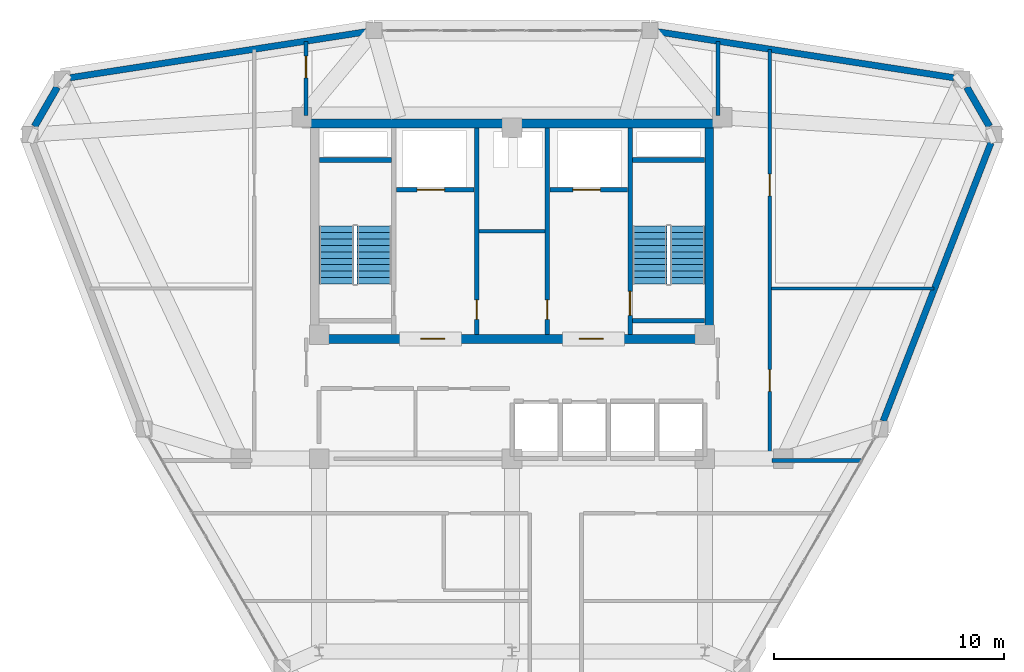
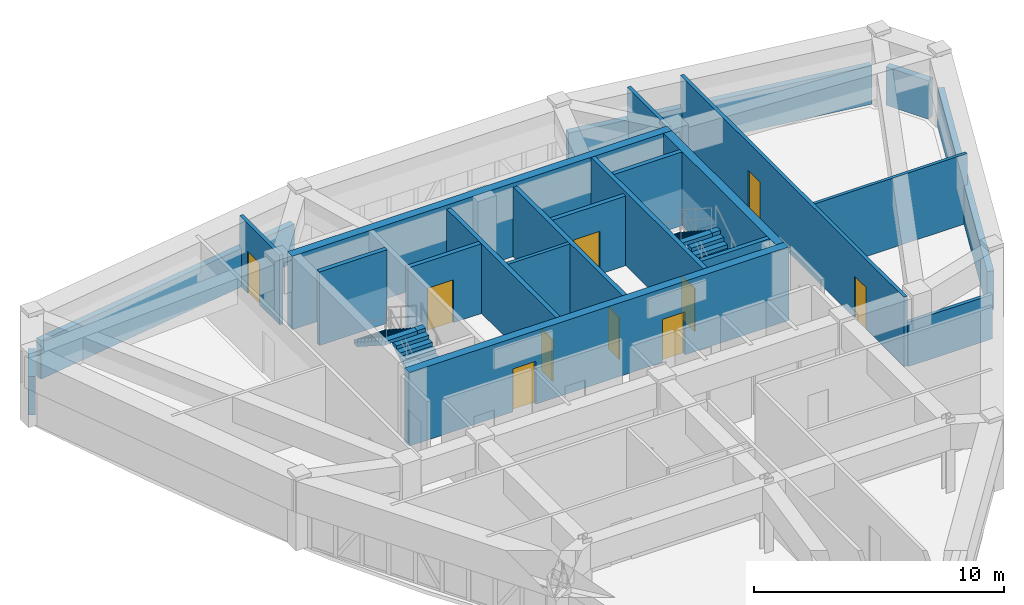
# One storey, part 14 of 15: 22 walls, 10 doors, 4 stair flights, 10 openings, 2 elements without a shape of their own.
"""IFC4 building model written with IfcOpenShell, lengths in metres."""

from ifc_helpers import new_model, si_unit, derived_unit, direction, frame, frame_2d, origin, place, context, subcontext, project, spatial, polyline, rectangle, outline, extrude, material, layer, layer_set, type_object, element, fill, aggregate, save


model = new_model("IFC4")

# Units and contexts
model_context = context("Model", 3, precision=1e-05, world=origin(), true_north=direction((0.0, 1.0)))
body_context = subcontext(model_context, "Body", "Model", "MODEL_VIEW")
ifc_project = project(units=[si_unit("LENGTHUNIT", "METRE"), si_unit("AREAUNIT", "SQUARE_METRE"), si_unit("VOLUMEUNIT", "CUBIC_METRE"), si_unit("PLANEANGLEUNIT", "RADIAN"), si_unit("MASSUNIT", "GRAM", prefix="KILO"), derived_unit("THERMALTRANSMITTANCEUNIT", [(si_unit("POWERUNIT", "WATT"), 1), (si_unit("LENGTHUNIT", "METRE"), -2), (si_unit("THERMODYNAMICTEMPERATUREUNIT", "KELVIN"), -1)])], contexts=[model_context])

# Site, building, storey
site_placement = place(None, origin())
site = spatial("IfcSite", under=ifc_project, at=site_placement, CompositionType="ELEMENT")
building_placement = place(site_placement, origin())
building = spatial("IfcBuilding", under=site, at=building_placement, Name="Korsvarv Bourse and Concert Hall", CompositionType="ELEMENT")
storey_placement = place(building_placement, frame((0.0, 0.0, 250.199951171875)))
storey = spatial("IfcBuildingStorey", under=building, at=storey_placement, Name="L65", CompositionType="ELEMENT", Elevation=250.199951171875)

# Wall
ifc_material_1 = material(Name="Concrete C50/60", Category="concrete")
ifc_layer_1 = layer(ifc_material_1, 0.3798828125)
ifc_layer_set_1 = layer_set([ifc_layer_1], Name="Concrete C50/60")
wall_type_1 = type_object("IfcWallType", Name="WL-CORE-380", PredefinedType="SHEAR", material=ifc_layer_set_1)
wall_1_placement = place(storey_placement, frame((27.219970703125, 46.989990234375, 0.0), z_axis=(0.0, 0.0, 1.0), x_axis=(1.0, 0.0, 0.0)))
element("IfcWall", 1, at=wall_1_placement, inside=storey, type_object=wall_type_1, Name="L65 North Core Shear Wall", PredefinedType="SHEAR", context=body_context, shape_type="SweptSolid", body=[
    extrude(rectangle(XDim=17.56005859375, YDim=0.3798828125, at=frame_2d((8.780029296875, 0.0))), origin(), (0.0, 0.0, 1.0), 3.60009765625),
])

# Wall, openings, doors
wall_2_placement = place(storey_placement, frame((27.219970703125, 37.610107421875, 0.0), z_axis=(0.0, 0.0, 1.0), x_axis=(1.0, 0.0, 0.0)))
wall_2 = element("IfcWall", 2, at=wall_2_placement, inside=storey, type_object=wall_type_1, Name="L65 South Core Shear Wall", PredefinedType="SHEAR", context=body_context, shape_type="SweptSolid", body=[
    extrude(rectangle(XDim=17.56005859375, YDim=0.3798828125, at=frame_2d((8.780029296875, 0.0))), origin(), (0.0, 0.0, 1.0), 3.60009765625),
])
opening_1_placement = place(wall_2_placement, frame((4.804931640625, 0.0, 0.0)))
opening_1 = element("IfcOpeningElement", 3, at=opening_1_placement, cuts=wall_2, Name="Opening D-01", PredefinedType="OPENING", context=body_context, shape_type="SweptSolid", body=[
    extrude(rectangle(XDim=1.050048828125, YDim=2.10009765625, at=frame_2d((0.52490234375, 1.050048828125))), frame((0.0, 0.199951171875, 0.0), z_axis=(0.0, -1.0, 0.0), x_axis=(1.0, 0.0, 0.0)), (0.0, 0.0, 1.0), 0.39990234375),
])
opening_2_placement = place(wall_2_placement, frame((11.705078125, 0.0, 0.0)))
opening_2 = element("IfcOpeningElement", 4, at=opening_2_placement, cuts=wall_2, Name="Opening D-01", PredefinedType="OPENING", context=body_context, shape_type="SweptSolid", body=[
    extrude(rectangle(XDim=1.050048828125, YDim=2.10009765625, at=frame_2d((0.52490234375, 1.050048828125))), frame((0.0, 0.199951171875, 0.0), z_axis=(0.0, -1.0, 0.0), x_axis=(1.0, 0.0, 0.0)), (0.0, 0.0, 1.0), 0.39990234375),
])
ifc_material_2 = material(Name="Steel S355 fire door", Category="steel")
door_type_1 = type_object("IfcDoorType", Name="DR-FD60", OperationType="NOTDEFINED", PredefinedType="DOOR", material=ifc_material_2)
door_1_placement = place(opening_1_placement, frame((1.050048828125, 0.0, 0.0), z_axis=(0.0, 0.0, 1.0), x_axis=(-1.0, 0.0, 0.0)))
door_1 = element("IfcDoor", 5, at=door_1_placement, inside=storey, type_object=door_type_1, Name="L65 firefighting lobby fire door DR-L65-FFLW", OperationType="SINGLE_SWING_RIGHT", OverallHeight=2.10009765625, OverallWidth=1.050048828125, PredefinedType="DOOR", context=body_context, shape_type="SweptSolid", body=[
    extrude(rectangle(XDim=1.050048828125, YDim=2.10009765625, at=frame_2d((0.52490234375, 1.050048828125))), frame((0.0, 0.02490234375, 0.0), z_axis=(0.0, -1.0, 0.0), x_axis=(1.0, 0.0, 0.0)), (0.0, 0.0, 1.0), 0.050048828125),
])
fill(opening_1, door_1)
door_2_placement = place(opening_2_placement, frame((1.050048828125, 0.0, 0.0), z_axis=(0.0, 0.0, 1.0), x_axis=(-1.0, 0.0, 0.0)))
door_2 = element("IfcDoor", 6, at=door_2_placement, inside=storey, type_object=door_type_1, Name="L65 firefighting lobby fire door DR-L65-FFLE", OperationType="SINGLE_SWING_LEFT", OverallHeight=2.10009765625, OverallWidth=1.050048828125, PredefinedType="DOOR", context=body_context, shape_type="SweptSolid", body=[
    extrude(rectangle(XDim=1.050048828125, YDim=2.10009765625, at=frame_2d((0.52490234375, 1.050048828125))), frame((0.0, 0.02490234375, 0.0), z_axis=(0.0, -1.0, 0.0), x_axis=(1.0, 0.0, 0.0)), (0.0, 0.0, 1.0), 0.050048828125),
])
fill(opening_2, door_2)

# Walls
wall_3_placement = place(storey_placement, frame((44.590087890625, 37.800048828125, 0.0), z_axis=(0.0, 0.0, 1.0), x_axis=(0.0, 1.0, 0.0)))
element("IfcWall", 7, at=wall_3_placement, inside=storey, type_object=wall_type_1, Name="L65 East Core Shear Wall", PredefinedType="SHEAR", context=body_context, shape_type="SweptSolid", body=[
    extrude(rectangle(XDim=9.0, YDim=0.3798828125, at=frame_2d((4.5, 0.0))), origin(), (0.0, 0.0, 1.0), 3.60009765625),
])
wall_4_placement = place(storey_placement, frame((27.610107421875, 45.39990234375, 0.0), z_axis=(0.0, 0.0, 1.0), x_axis=(1.0, 0.0, 0.0)))
element("IfcWall", 8, at=wall_4_placement, inside=storey, type_object=wall_type_1, Name="L65 stair shaft structural wall W-L65-ST1-N", PredefinedType="SHEAR", context=body_context, shape_type="SweptSolid", body=[
    extrude(rectangle(XDim=3.139892578125, YDim=0.199951171875, at=frame_2d((1.56982421875, 0.0))), origin(), (0.0, 0.0, 1.0), 3.60009765625),
])

# Wall, opening, door
wall_5_placement = place(storey_placement, frame((41.139892578125, 37.81005859375, 0.0), z_axis=(0.0, 0.0, 1.0), x_axis=(0.0, 1.0, 0.0)))
wall_5 = element("IfcWall", 9, at=wall_5_placement, inside=storey, type_object=wall_type_1, Name="L65 stair shaft structural wall W-L65-ST2-W", PredefinedType="SHEAR", context=body_context, shape_type="SweptSolid", body=[
    extrude(rectangle(XDim=8.97998046875, YDim=0.199951171875, at=frame_2d((4.489990234375, 0.0))), origin(), (0.0, 0.0, 1.0), 3.60009765625),
])
opening_3_placement = place(wall_5_placement, frame((0.820068359375, 0.0, 0.0)))
opening_3 = element("IfcOpeningElement", 10, at=opening_3_placement, cuts=wall_5, Name="Opening D-01", PredefinedType="OPENING", context=body_context, shape_type="SweptSolid", body=[
    extrude(rectangle(XDim=1.050048828125, YDim=2.10009765625, at=frame_2d((0.52490234375, 1.050048828125))), frame((0.0, 0.10986328125, 0.0), z_axis=(0.0, -1.0, 0.0), x_axis=(1.0, 0.0, 0.0)), (0.0, 0.0, 1.0), 0.219970703125),
])
door_3_placement = place(opening_3_placement, frame((1.050048828125, 0.0, 0.0), z_axis=(0.0, 0.0, 1.0), x_axis=(-1.0, 0.0, 0.0)))
door_3 = element("IfcDoor", 11, at=door_3_placement, inside=storey, type_object=door_type_1, Name="L65 interior door DR-L65-ST2", OperationType="SINGLE_SWING_LEFT", OverallHeight=2.10009765625, OverallWidth=1.050048828125, PredefinedType="DOOR", context=body_context, shape_type="SweptSolid", body=[
    extrude(rectangle(XDim=1.050048828125, YDim=2.10009765625, at=frame_2d((0.52490234375, 1.050048828125))), frame((0.0, 0.02490234375, 0.0), z_axis=(0.0, -1.0, 0.0), x_axis=(1.0, 0.0, 0.0)), (0.0, 0.0, 1.0), 0.050048828125),
])
fill(opening_3, door_3)

# Walls
for number, where, z_axis, x_axis, name in (
    (12, (41.25, 45.39990234375, 0.0), (0.0, 0.0, 1.0), (1.0, 0.0, 0.0), "L65 stair shaft structural wall W-L65-ST2-N"),
    (13, (41.25, 38.39990234375, 0.0), (0.0, 0.0, 1.0), (1.0, 0.0, 0.0), "L65 stair shaft structural wall W-L65-ST2-S"),
):
    element("IfcWall", number, at=place(storey_placement, frame(where, z_axis=z_axis, x_axis=x_axis)), inside=storey, type_object=wall_type_1, Name=name, PredefinedType="SHEAR", context=body_context, shape_type="SweptSolid", body=[
        extrude(rectangle(XDim=3.139892578125, YDim=0.199951171875, at=frame_2d((1.56982421875, 0.0))), origin(), (0.0, 0.0, 1.0), 3.60009765625),
    ])
ifc_material_3 = material(Name="Precast concrete C45/55 with terracotta rainscreen", Category="concrete")
ifc_layer_2 = layer(ifc_material_3, 0.300048828125)
ifc_layer_set_2 = layer_set([ifc_layer_2], Name="Precast concrete C45/55 with terracotta rainscreen")
wall_type_2 = type_object("IfcWallType", Name="WL-EXT-TC1", PredefinedType="SOLIDWALL", material=ifc_layer_set_2)
for number, where, z_axis, x_axis, name in (
    (14, (56.78271484375, 46.858642578125, 0.0), (0.0, 0.0, 1.0), (-0.499915072674, 0.866074431047, 0.0), "L65 terracotta exterior wall EW-L65-B01"),
    (15, (16.20458984375, 48.569091796875, 0.0), (0.0, 0.0, 1.0), (-0.499915072674, -0.866074431047, 0.0), "L65 terracotta exterior wall EW-L65-B05"),
):
    element("IfcWall", number, at=place(storey_placement, frame(where, z_axis=z_axis, x_axis=x_axis)), inside=storey, type_object=wall_type_2, Name=name, PredefinedType="SOLIDWALL", context=body_context, shape_type="SweptSolid", body=[
        extrude(rectangle(XDim=1.974853515625, YDim=0.300048828125, at=frame_2d((0.9873046875, 0.0))), origin(), (0.0, 0.0, 1.0), 1.880126953125),
    ])
ifc_material_4 = material(Name="Precast concrete C45/55 with fluted terracotta pier", Category="concrete")
ifc_layer_3 = layer(ifc_material_4, 0.280029296875)
ifc_layer_set_3 = layer_set([ifc_layer_3], Name="Precast concrete C45/55 with fluted terracotta pier")
wall_type_3 = type_object("IfcWallType", Name="WL-EXT-TC2", PredefinedType="SOLIDWALL", material=ifc_layer_set_3)
for number, where, z_axis, x_axis, name in (
    (16, (55.2353515625, 48.979248046875, 0.0), (0.0, 0.0, 1.0), (-0.988170476673, 0.153359411293, 0.0), "L65 terracotta exterior wall EW-L65-B02"),
    (17, (29.640625, 50.9775390625, 0.0), (0.0, 0.0, 1.0), (-0.988170476673, -0.153359411293, 0.0), "L65 terracotta exterior wall EW-L65-B04"),
):
    element("IfcWall", number, at=place(storey_placement, frame(where, z_axis=z_axis, x_axis=x_axis)), inside=storey, type_object=wall_type_3, Name=name, PredefinedType="SOLIDWALL", context=body_context, shape_type="SweptSolid", body=[
        extrude(rectangle(XDim=13.030029296875, YDim=0.280029296875, at=frame_2d((6.51513671875, 0.0))), origin(), (0.0, 0.0, 1.0), 1.880126953125),
    ])
wall_6_placement = place(storey_placement, frame((52.158447265625, 34.03857421875, 0.0), z_axis=(0.0, 0.0, 1.0), x_axis=(0.361269378379, 0.93246149317, 0.0)))
element("IfcWall", 18, at=wall_6_placement, inside=storey, type_object=wall_type_3, Name="L65 terracotta exterior wall EW-L65-B12", PredefinedType="SOLIDWALL", context=body_context, shape_type="SweptSolid", body=[
    extrude(rectangle(XDim=12.9873046875, YDim=0.280029296875, at=frame_2d((6.49365234375, 0.0))), origin(), (0.0, 0.0, 1.0), 1.880126953125),
])

# Wall, opening, door
ifc_material_5 = material(Name="Reinforced concrete blockwork C35/45 fire wall", Category="concrete")
ifc_layer_4 = layer(ifc_material_5, 0.199951171875)
ifc_layer_set_4 = layer_set([ifc_layer_4], Name="Reinforced concrete blockwork C35/45 fire wall")
wall_type_4 = type_object("IfcWallType", Name="WL-INT-EI120", PredefinedType="PARTITIONING", material=ifc_layer_set_4)
wall_7_placement = place(storey_placement, frame((30.969970703125, 44.10009765625, 0.0), z_axis=(0.0, 0.0, 1.0), x_axis=(1.0, 0.0, 0.0)))
wall_7 = element("IfcWall", 19, at=wall_7_placement, inside=storey, type_object=wall_type_4, Name="L65 interior partition wall W-L65-FF1-S", PredefinedType="PARTITIONING", context=body_context, shape_type="SweptSolid", body=[
    extrude(rectangle(XDim=3.380126953125, YDim=0.199951171875, at=frame_2d((1.68994140625, 0.0))), origin(), (0.0, 0.0, 1.0), 3.41015625),
])
opening_4_placement = place(wall_7_placement, frame((0.89990234375, 0.0, 0.0)))
opening_4 = element("IfcOpeningElement", 20, at=opening_4_placement, cuts=wall_7, Name="Opening LD-1", PredefinedType="OPENING", context=body_context, shape_type="SweptSolid", body=[
    extrude(rectangle(XDim=1.199951171875, YDim=2.10009765625, at=frame_2d((0.60009765625, 1.050048828125))), frame((0.0, 0.10986328125, 0.0), z_axis=(0.0, -1.0, 0.0), x_axis=(1.0, 0.0, 0.0)), (0.0, 0.0, 1.0), 0.219970703125),
])
ifc_material_6 = material(Name="Stainless Steel S355 firefighting lift landing door", Category="steel")
door_type_2 = type_object("IfcDoorType", Name="DR-LIFT-FF", OperationType="DOUBLE_DOOR_SLIDING", PredefinedType="DOOR", material=ifc_material_6)
door_4_placement = place(opening_4_placement, origin())
door_4 = element("IfcDoor", 21, at=door_4_placement, inside=storey, type_object=door_type_2, Name="L65 lift sliding landing door LD-L65-FF1", OperationType="DOUBLE_DOOR_SLIDING", OverallHeight=2.10009765625, OverallWidth=1.199951171875, PredefinedType="DOOR", context=body_context, shape_type="SweptSolid", body=[
    extrude(rectangle(XDim=1.199951171875, YDim=2.10009765625, at=frame_2d((0.60009765625, 1.050048828125))), frame((0.0, 0.02490234375, 0.0), z_axis=(0.0, -1.0, 0.0), x_axis=(1.0, 0.0, 0.0)), (0.0, 0.0, 1.0), 0.050048828125),
])
fill(opening_4, door_4)

wall_8_placement = place(storey_placement, frame((37.64990234375, 44.10009765625, 0.0), z_axis=(0.0, 0.0, 1.0), x_axis=(1.0, 0.0, 0.0)))
wall_8 = element("IfcWall", 22, at=wall_8_placement, inside=storey, type_object=wall_type_4, Name="L65 interior partition wall W-L65-FF2-S", PredefinedType="PARTITIONING", context=body_context, shape_type="SweptSolid", body=[
    extrude(rectangle(XDim=3.380126953125, YDim=0.199951171875, at=frame_2d((1.68994140625, 0.0))), origin(), (0.0, 0.0, 1.0), 3.41015625),
])
opening_5_placement = place(wall_8_placement, frame((1.0, 0.0, 0.0)))
opening_5 = element("IfcOpeningElement", 23, at=opening_5_placement, cuts=wall_8, Name="Opening LD-1", PredefinedType="OPENING", context=body_context, shape_type="SweptSolid", body=[
    extrude(rectangle(XDim=1.199951171875, YDim=2.10009765625, at=frame_2d((0.60009765625, 1.050048828125))), frame((0.0, 0.10986328125, 0.0), z_axis=(0.0, -1.0, 0.0), x_axis=(1.0, 0.0, 0.0)), (0.0, 0.0, 1.0), 0.219970703125),
])
door_5_placement = place(opening_5_placement, origin())
door_5 = element("IfcDoor", 24, at=door_5_placement, inside=storey, type_object=door_type_2, Name="L65 lift sliding landing door LD-L65-FF2", OperationType="DOUBLE_DOOR_SLIDING", OverallHeight=2.10009765625, OverallWidth=1.199951171875, PredefinedType="DOOR", context=body_context, shape_type="SweptSolid", body=[
    extrude(rectangle(XDim=1.199951171875, YDim=2.10009765625, at=frame_2d((0.60009765625, 1.050048828125))), frame((0.0, 0.02490234375, 0.0), z_axis=(0.0, -1.0, 0.0), x_axis=(1.0, 0.0, 0.0)), (0.0, 0.0, 1.0), 0.050048828125),
])
fill(opening_5, door_5)

wall_9_placement = place(storey_placement, frame((34.4599609375, 37.81005859375, 0.0), z_axis=(0.0, 0.0, 1.0), x_axis=(0.0, 1.0, 0.0)))
wall_9 = element("IfcWall", 25, at=wall_9_placement, inside=storey, type_object=wall_type_4, Name="L65 interior partition wall W-L65-CSB-W", PredefinedType="PARTITIONING", context=body_context, shape_type="SweptSolid", body=[
    extrude(rectangle(XDim=8.97998046875, YDim=0.199951171875, at=frame_2d((4.489990234375, 0.0))), origin(), (0.0, 0.0, 1.0), 3.41015625),
])
opening_6_placement = place(wall_9_placement, frame((0.64990234375, 0.0, 0.0)))
opening_6 = element("IfcOpeningElement", 26, at=opening_6_placement, cuts=wall_9, Name="Opening D-05", PredefinedType="OPENING", context=body_context, shape_type="SweptSolid", body=[
    extrude(rectangle(XDim=0.85009765625, YDim=2.050048828125, at=frame_2d((0.425048828125, 1.02490234375))), frame((0.0, 0.10986328125, 0.0), z_axis=(0.0, -1.0, 0.0), x_axis=(1.0, 0.0, 0.0)), (0.0, 0.0, 1.0), 0.219970703125),
])
door_type_3 = type_object("IfcDoorType", Name="DR-FD60-850X2050", OperationType="NOTDEFINED", PredefinedType="DOOR", material=ifc_material_2)
door_6_placement = place(opening_6_placement, frame((0.85009765625, 0.0, 0.0), z_axis=(0.0, 0.0, 1.0), x_axis=(-1.0, 0.0, 0.0)))
door_6 = element("IfcDoor", 27, at=door_6_placement, inside=storey, type_object=door_type_3, Name="L65 interior door DR-L65-CSB1", OperationType="SINGLE_SWING_RIGHT", OverallHeight=2.050048828125, OverallWidth=0.85009765625, PredefinedType="DOOR", context=body_context, shape_type="SweptSolid", body=[
    extrude(rectangle(XDim=0.85009765625, YDim=2.050048828125, at=frame_2d((0.425048828125, 1.02490234375))), frame((0.0, 0.02490234375, 0.0), z_axis=(0.0, -1.0, 0.0), x_axis=(1.0, 0.0, 0.0)), (0.0, 0.0, 1.0), 0.050048828125),
])
fill(opening_6, door_6)

wall_10_placement = place(storey_placement, frame((37.5400390625, 37.81005859375, 0.0), z_axis=(0.0, 0.0, 1.0), x_axis=(0.0, 1.0, 0.0)))
wall_10 = element("IfcWall", 28, at=wall_10_placement, inside=storey, type_object=wall_type_4, Name="L65 interior partition wall W-L65-CSB-E", PredefinedType="PARTITIONING", context=body_context, shape_type="SweptSolid", body=[
    extrude(rectangle(XDim=8.97998046875, YDim=0.199951171875, at=frame_2d((4.489990234375, 0.0))), origin(), (0.0, 0.0, 1.0), 3.41015625),
])
opening_7_placement = place(wall_10_placement, frame((0.64990234375, 0.0, 0.0)))
opening_7 = element("IfcOpeningElement", 29, at=opening_7_placement, cuts=wall_10, Name="Opening D-05", PredefinedType="OPENING", context=body_context, shape_type="SweptSolid", body=[
    extrude(rectangle(XDim=0.85009765625, YDim=2.050048828125, at=frame_2d((0.425048828125, 1.02490234375))), frame((0.0, 0.10986328125, 0.0), z_axis=(0.0, -1.0, 0.0), x_axis=(1.0, 0.0, 0.0)), (0.0, 0.0, 1.0), 0.219970703125),
])
door_7_placement = place(opening_7_placement, origin())
door_7 = element("IfcDoor", 30, at=door_7_placement, inside=storey, type_object=door_type_3, Name="L65 interior door DR-L65-CSB2", OperationType="SINGLE_SWING_LEFT", OverallHeight=2.050048828125, OverallWidth=0.85009765625, PredefinedType="DOOR", context=body_context, shape_type="SweptSolid", body=[
    extrude(rectangle(XDim=0.85009765625, YDim=2.050048828125, at=frame_2d((0.425048828125, 1.02490234375))), frame((0.0, 0.02490234375, 0.0), z_axis=(0.0, -1.0, 0.0), x_axis=(1.0, 0.0, 0.0)), (0.0, 0.0, 1.0), 0.050048828125),
])
fill(opening_7, door_7)

# Wall
ifc_material_7 = material(Name="Double-stud fire-rated acoustic partition", Category="gypsum")
ifc_layer_5 = layer(ifc_material_7, 0.159912109375)
ifc_layer_set_5 = layer_set([ifc_layer_5], Name="Double-stud fire-rated acoustic partition")
wall_type_5 = type_object("IfcWallType", Name="WL-INT-EI60", PredefinedType="PARTITIONING", material=ifc_layer_set_5)
wall_11_placement = place(storey_placement, frame((34.570068359375, 42.300048828125, 0.0), z_axis=(0.0, 0.0, 1.0), x_axis=(1.0, 0.0, 0.0)))
element("IfcWall", 31, at=wall_11_placement, inside=storey, type_object=wall_type_5, Name="L65 interior partition wall W-L65-K1", PredefinedType="PARTITIONING", context=body_context, shape_type="SweptSolid", body=[
    extrude(rectangle(XDim=2.85986328125, YDim=0.159912109375, at=frame_2d((1.429931640625, 0.0))), origin(), (0.0, 0.0, 1.0), 3.41015625),
])

# Wall, openings, doors
wall_12_placement = place(storey_placement, frame((47.22509765625, 32.31005859375, 0.0), z_axis=(0.0, 0.0, 1.0), x_axis=(0.0, 1.0, 0.0)))
wall_12 = element("IfcWall", 32, at=wall_12_placement, inside=storey, type_object=wall_type_5, Name="L65 interior partition wall W-L65-TCOR-01", PredefinedType="PARTITIONING", context=body_context, shape_type="SweptSolid", body=[
    extrude(rectangle(XDim=17.892333984375, YDim=0.159912109375, at=frame_2d((8.9462890625, 0.0))), origin(), (0.0, 0.0, 1.0), 3.41015625),
])
opening_8_placement = place(wall_12_placement, frame((3.01416015625, 0.0, 0.0)))
opening_8 = element("IfcOpeningElement", 33, at=opening_8_placement, cuts=wall_12, Name="Opening D-02", PredefinedType="OPENING", context=body_context, shape_type="SweptSolid", body=[
    extrude(rectangle(XDim=0.949951171875, YDim=2.050048828125, at=frame_2d((0.47509765625, 1.02490234375))), frame((0.0, 0.08984375, 0.0), z_axis=(0.0, -1.0, 0.0), x_axis=(1.0, 0.0, 0.0)), (0.0, 0.0, 1.0), 0.179931640625),
])
opening_9_placement = place(wall_12_placement, frame((11.52392578125, 0.0, 0.0)))
opening_9 = element("IfcOpeningElement", 34, at=opening_9_placement, cuts=wall_12, Name="Opening D-02", PredefinedType="OPENING", context=body_context, shape_type="SweptSolid", body=[
    extrude(rectangle(XDim=0.949951171875, YDim=2.050048828125, at=frame_2d((0.47509765625, 1.02490234375))), frame((0.0, 0.08984375, 0.0), z_axis=(0.0, -1.0, 0.0), x_axis=(1.0, 0.0, 0.0)), (0.0, 0.0, 1.0), 0.179931640625),
])
ifc_material_8 = material(Name="Timber and steel acoustic fire door", Category="wood")
door_type_4 = type_object("IfcDoorType", Name="DR-FD30", OperationType="NOTDEFINED", PredefinedType="DOOR", material=ifc_material_8)
door_8_placement = place(opening_8_placement, origin())
door_8 = element("IfcDoor", 35, at=door_8_placement, inside=storey, type_object=door_type_4, Name="L65 interior door DR-L65-TCOR-GKT1", OperationType="SINGLE_SWING_RIGHT", OverallHeight=2.050048828125, OverallWidth=0.949951171875, PredefinedType="DOOR", context=body_context, shape_type="SweptSolid", body=[
    extrude(rectangle(XDim=0.949951171875, YDim=2.050048828125, at=frame_2d((0.47509765625, 1.02490234375))), frame((0.0, 0.02490234375, 0.0), z_axis=(0.0, -1.0, 0.0), x_axis=(1.0, 0.0, 0.0)), (0.0, 0.0, 1.0), 0.050048828125),
])
fill(opening_8, door_8)
door_9_placement = place(opening_9_placement, origin())
door_9 = element("IfcDoor", 36, at=door_9_placement, inside=storey, type_object=door_type_4, Name="L65 interior door DR-L65-TCOR-GB32", OperationType="SINGLE_SWING_LEFT", OverallHeight=2.050048828125, OverallWidth=0.949951171875, PredefinedType="DOOR", context=body_context, shape_type="SweptSolid", body=[
    extrude(rectangle(XDim=0.949951171875, YDim=2.050048828125, at=frame_2d((0.47509765625, 1.02490234375))), frame((0.0, 0.02490234375, 0.0), z_axis=(0.0, -1.0, 0.0), x_axis=(1.0, 0.0, 0.0)), (0.0, 0.0, 1.0), 0.050048828125),
])
fill(opening_9, door_9)

# Wall
wall_13_placement = place(storey_placement, frame((47.306884765625, 32.31494140625, 0.0), z_axis=(0.0, 0.0, 1.0), x_axis=(1.0, 0.0, 0.0)))
element("IfcWall", 37, at=wall_13_placement, inside=storey, type_object=wall_type_5, Name="L65 interior partition wall W-L65-TCOR-08", PredefinedType="PARTITIONING", context=body_context, shape_type="SweptSolid", body=[
    extrude(rectangle(XDim=3.90380859375, YDim=0.159912109375, at=frame_2d((1.951904296875, 0.0))), origin(), (0.0, 0.0, 1.0), 2.170166015625),
])

# Wall, opening, door
wall_14_placement = place(storey_placement, frame((27.034912109375, 47.340087890625, 0.0), z_axis=(0.0, 0.0, 1.0), x_axis=(0.0, 1.0, 0.0)))
wall_14 = element("IfcWall", 38, at=wall_14_placement, inside=storey, type_object=wall_type_5, Name="L65 interior partition wall W-L65-TCOR-09", PredefinedType="PARTITIONING", context=body_context, shape_type="SweptSolid", body=[
    extrude(rectangle(XDim=3.213134765625, YDim=0.159912109375, at=frame_2d((1.6064453125, 0.0))), origin(), (0.0, 0.0, 1.0), 3.41015625),
])
opening_10_placement = place(wall_14_placement, frame((1.63330078125, 0.0, 0.0)))
opening_10 = element("IfcOpeningElement", 39, at=opening_10_placement, cuts=wall_14, Name="Opening D-02", PredefinedType="OPENING", context=body_context, shape_type="SweptSolid", body=[
    extrude(rectangle(XDim=0.949951171875, YDim=2.050048828125, at=frame_2d((0.47509765625, 1.02490234375))), frame((0.0, 0.08984375, 0.0), z_axis=(0.0, -1.0, 0.0), x_axis=(1.0, 0.0, 0.0)), (0.0, 0.0, 1.0), 0.179931640625),
])
door_10_placement = place(opening_10_placement, origin())
door_10 = element("IfcDoor", 40, at=door_10_placement, inside=storey, type_object=door_type_4, Name="L65 interior door DR-L65-TCOR-RM55", OperationType="SINGLE_SWING_RIGHT", OverallHeight=2.050048828125, OverallWidth=0.949951171875, PredefinedType="DOOR", context=body_context, shape_type="SweptSolid", body=[
    extrude(rectangle(XDim=0.949951171875, YDim=2.050048828125, at=frame_2d((0.47509765625, 1.02490234375))), frame((0.0, 0.02490234375, 0.0), z_axis=(0.0, -1.0, 0.0), x_axis=(1.0, 0.0, 0.0)), (0.0, 0.0, 1.0), 0.050048828125),
])
fill(opening_10, door_10)

# Walls
wall_15_placement = place(storey_placement, frame((44.965087890625, 47.340087890625, 0.0), z_axis=(0.0, 0.0, 1.0), x_axis=(0.0, 1.0, 0.0)))
element("IfcWall", 41, at=wall_15_placement, inside=storey, type_object=wall_type_5, Name="L65 interior partition wall W-L65-TCOR-10", PredefinedType="PARTITIONING", context=body_context, shape_type="SweptSolid", body=[
    extrude(rectangle(XDim=3.213134765625, YDim=0.159912109375, at=frame_2d((1.6064453125, 0.0))), origin(), (0.0, 0.0, 1.0), 3.41015625),
])
ifc_material_9 = material(Name="Insulated steel-stud office acoustic partition", Category="gypsum")
ifc_layer_6 = layer(ifc_material_9, 0.139892578125)
ifc_layer_set_6 = layer_set([ifc_layer_6], Name="Insulated steel-stud office acoustic partition")
wall_type_6 = type_object("IfcWallType", Name="WL-INT-P1", PredefinedType="PARTITIONING", material=ifc_layer_set_6)
wall_16_placement = place(storey_placement, frame((47.306884765625, 39.804931640625, 0.0), z_axis=(0.0, 0.0, 1.0), x_axis=(1.0, 0.0, 0.0)))
element("IfcWall", 42, at=wall_16_placement, inside=storey, type_object=wall_type_6, Name="L65 interior partition wall W-L65-TCOR-14", PredefinedType="PARTITIONING", context=body_context, shape_type="SweptSolid", body=[
    extrude(rectangle(XDim=7.065673828125, YDim=0.139892578125, at=frame_2d((3.53271484375, 0.0))), origin(), (0.0, 0.0, 1.0), 3.41015625),
])

# Stair, stair flights
ifc_material_10 = material(Name="Precast concrete C45/55", Category="concrete")
stair_type = type_object("IfcStairType", Name="STR-TYPE-04", PredefinedType="HALF_TURN_STAIR", material=ifc_material_10)
stair_1_placement = place(storey_placement, origin())
stair_1 = element("IfcStair", 43, at=stair_1_placement, inside=storey, type_object=stair_type, Name="L65 Tower West Exit Stair ST-T1", PredefinedType="HALF_TURN_STAIR")
stair_flight_type = type_object("IfcStairFlightType", Name="FLT-TYPE-04", PredefinedType="STRAIGHT", material=ifc_material_10)
stair_flight_1_placement = place(storey_placement, frame((30.010009765625, 40.0, 0.0), z_axis=(0.0, 0.0, 1.0), x_axis=(0.0, 1.0, 0.0)))
stair_flight_1 = element("IfcStairFlight", 44, at=stair_flight_1_placement, type_object=stair_flight_type, Name="ST-T1 flight 1", NumberOfRisers=10, NumberOfTreads=9, PredefinedType="STRAIGHT", RiserHeight=0.18, TreadLength=0.28, context=body_context, shape_type="SweptSolid", body=[
    extrude(outline(polyline([(0.0, 0.0), (0.0, 0.179931640625), (0.280029296875, 0.179931640625), (0.280029296875, 0.360107421875), (0.56005859375, 0.360107421875), (0.56005859375, 0.5400390625), (0.840087890625, 0.5400390625), (0.840087890625, 0.719970703125), (1.1201171875, 0.719970703125), (1.1201171875, 0.89990234375), (1.39990234375, 0.89990234375), (1.39990234375, 1.080078125), (1.679931640625, 1.080078125), (1.679931640625, 1.260009765625), (1.9599609375, 1.260009765625), (1.9599609375, 1.43994140625), (2.239990234375, 1.43994140625), (2.239990234375, 1.6201171875), (2.52001953125, 1.6201171875), (2.52001953125, 1.800048828125), (2.52001953125, 1.44189453125), (0.277099609375, 0.0), (0.0, 0.0)])), frame((0.0, 0.75, 0.0), z_axis=(0.0, -1.0, 0.0), x_axis=(1.0, 0.0, 0.0)), (0.0, 0.0, 1.0), 1.5),
])
stair_flight_2_placement = place(storey_placement, frame((28.35009765625, 42.52001953125, 1.800048828125), z_axis=(0.0, 0.0, 1.0), x_axis=(0.0, -1.0, 0.0)))
stair_flight_2 = element("IfcStairFlight", 45, at=stair_flight_2_placement, type_object=stair_flight_type, Name="ST-T1 flight 2", NumberOfRisers=10, NumberOfTreads=9, PredefinedType="STRAIGHT", RiserHeight=0.18, TreadLength=0.28, context=body_context, shape_type="SweptSolid", body=[
    extrude(outline(polyline([(0.0, 0.0), (0.0, 0.179931640625), (0.280029296875, 0.179931640625), (0.280029296875, 0.360107421875), (0.56005859375, 0.360107421875), (0.56005859375, 0.5400390625), (0.840087890625, 0.5400390625), (0.840087890625, 0.719970703125), (1.1201171875, 0.719970703125), (1.1201171875, 0.89990234375), (1.39990234375, 0.89990234375), (1.39990234375, 1.080078125), (1.679931640625, 1.080078125), (1.679931640625, 1.260009765625), (1.9599609375, 1.260009765625), (1.9599609375, 1.43994140625), (2.239990234375, 1.43994140625), (2.239990234375, 1.6201171875), (2.52001953125, 1.6201171875), (2.52001953125, 1.800048828125), (2.52001953125, 1.44189453125), (0.277099609375, 0.0), (0.0, 0.0)])), frame((0.0, 0.75, 0.0), z_axis=(0.0, -1.0, 0.0), x_axis=(1.0, 0.0, 0.0)), (0.0, 0.0, 1.0), 1.5),
])
aggregate(stair_1, [stair_flight_1, stair_flight_2])

stair_2_placement = place(storey_placement, origin())
stair_2 = element("IfcStair", 46, at=stair_2_placement, inside=storey, type_object=stair_type, Name="L65 Tower East Exit Stair ST-T2", PredefinedType="HALF_TURN_STAIR")
stair_flight_3_placement = place(storey_placement, frame((43.64990234375, 40.0, 0.0), z_axis=(0.0, 0.0, 1.0), x_axis=(0.0, 1.0, 0.0)))
stair_flight_3 = element("IfcStairFlight", 47, at=stair_flight_3_placement, type_object=stair_flight_type, Name="ST-T2 flight 1", NumberOfRisers=10, NumberOfTreads=9, PredefinedType="STRAIGHT", RiserHeight=0.18, TreadLength=0.28, context=body_context, shape_type="SweptSolid", body=[
    extrude(outline(polyline([(0.0, 0.0), (0.0, 0.179931640625), (0.280029296875, 0.179931640625), (0.280029296875, 0.360107421875), (0.56005859375, 0.360107421875), (0.56005859375, 0.5400390625), (0.840087890625, 0.5400390625), (0.840087890625, 0.719970703125), (1.1201171875, 0.719970703125), (1.1201171875, 0.89990234375), (1.39990234375, 0.89990234375), (1.39990234375, 1.080078125), (1.679931640625, 1.080078125), (1.679931640625, 1.260009765625), (1.9599609375, 1.260009765625), (1.9599609375, 1.43994140625), (2.239990234375, 1.43994140625), (2.239990234375, 1.6201171875), (2.52001953125, 1.6201171875), (2.52001953125, 1.800048828125), (2.52001953125, 1.44189453125), (0.277099609375, 0.0), (0.0, 0.0)])), frame((0.0, 0.75, 0.0), z_axis=(0.0, -1.0, 0.0), x_axis=(1.0, 0.0, 0.0)), (0.0, 0.0, 1.0), 1.5),
])
stair_flight_4_placement = place(storey_placement, frame((41.989990234375, 42.52001953125, 1.800048828125), z_axis=(0.0, 0.0, 1.0), x_axis=(0.0, -1.0, 0.0)))
stair_flight_4 = element("IfcStairFlight", 48, at=stair_flight_4_placement, type_object=stair_flight_type, Name="ST-T2 flight 2", NumberOfRisers=10, NumberOfTreads=9, PredefinedType="STRAIGHT", RiserHeight=0.18, TreadLength=0.28, context=body_context, shape_type="SweptSolid", body=[
    extrude(outline(polyline([(0.0, 0.0), (0.0, 0.179931640625), (0.280029296875, 0.179931640625), (0.280029296875, 0.360107421875), (0.56005859375, 0.360107421875), (0.56005859375, 0.5400390625), (0.840087890625, 0.5400390625), (0.840087890625, 0.719970703125), (1.1201171875, 0.719970703125), (1.1201171875, 0.89990234375), (1.39990234375, 0.89990234375), (1.39990234375, 1.080078125), (1.679931640625, 1.080078125), (1.679931640625, 1.260009765625), (1.9599609375, 1.260009765625), (1.9599609375, 1.43994140625), (2.239990234375, 1.43994140625), (2.239990234375, 1.6201171875), (2.52001953125, 1.6201171875), (2.52001953125, 1.800048828125), (2.52001953125, 1.44189453125), (0.277099609375, 0.0), (0.0, 0.0)])), frame((0.0, 0.75, 0.0), z_axis=(0.0, -1.0, 0.0), x_axis=(1.0, 0.0, 0.0)), (0.0, 0.0, 1.0), 1.5),
])
aggregate(stair_2, [stair_flight_3, stair_flight_4])

save(model, "model.ifc")
